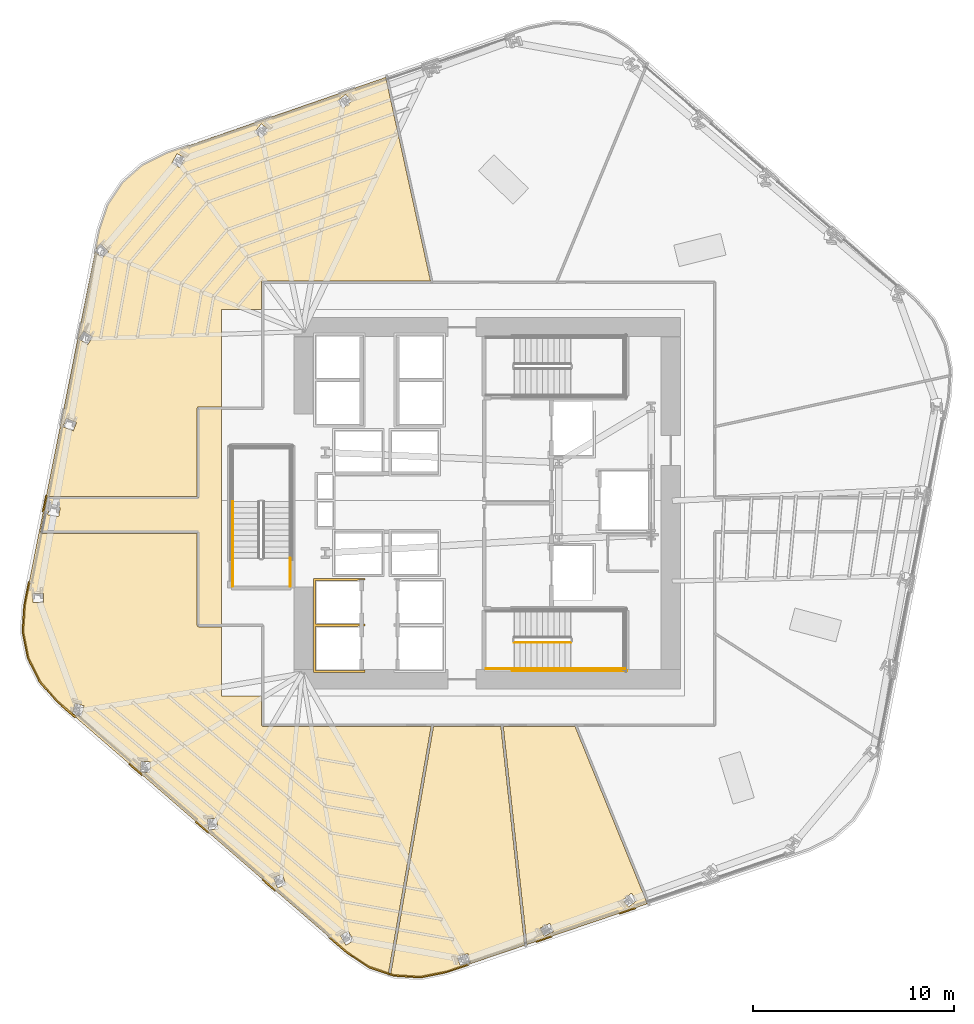
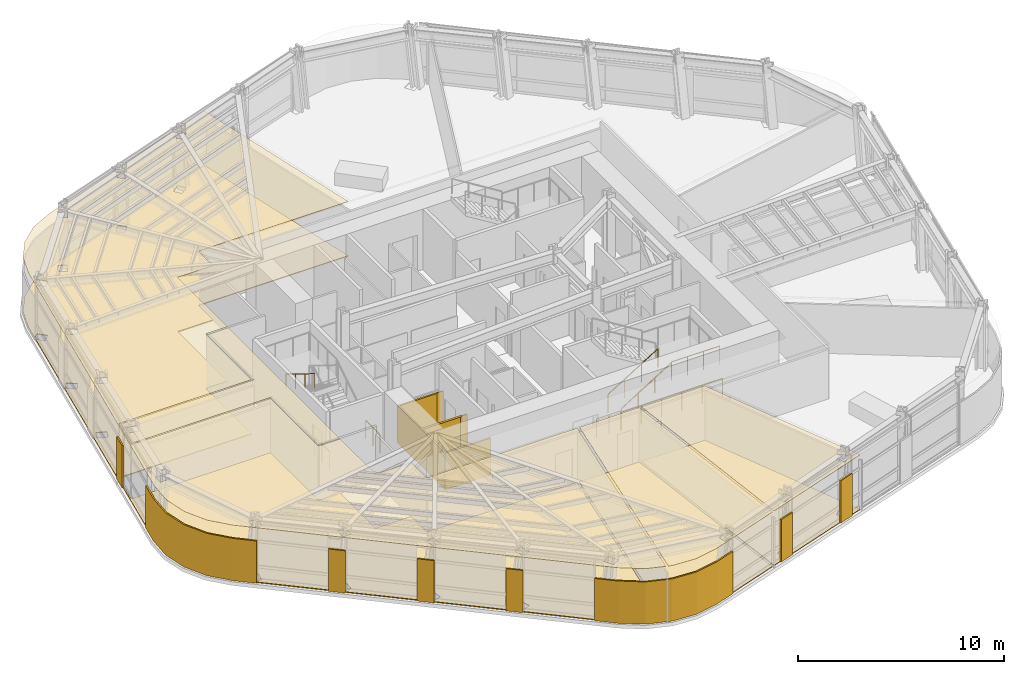
# One storey, part 11 of 16: 16 coverings, 8 railings.
"""IFC4 building model written with IfcOpenShell, lengths in metres."""

from ifc_helpers import new_model, si_unit, direction, frame, origin, origin_2d, place, context, subcontext, project, spatial, polyline, circle, outline, extrude, material, layer, layer_set, type_object, element, save


model = new_model("IFC4")

# Units and contexts
model_context = context("Model", 3, precision=1e-05, world=origin(), true_north=direction((0.0, 1.0)))
body_context = subcontext(model_context, "Body", "Model", "MODEL_VIEW")
ifc_project = project(units=[si_unit("LENGTHUNIT", "METRE"), si_unit("AREAUNIT", "SQUARE_METRE"), si_unit("VOLUMEUNIT", "CUBIC_METRE"), si_unit("PLANEANGLEUNIT", "RADIAN"), si_unit("MASSUNIT", "GRAM", prefix="KILO")], contexts=[model_context])

# Site, building, storey
site_placement = place(None, origin())
site = spatial("IfcSite", under=ifc_project, at=site_placement, CompositionType="ELEMENT")
building_placement = place(site_placement, origin())
building = spatial("IfcBuilding", under=site, at=building_placement, Name="Valkerne Bourse Tower", CompositionType="ELEMENT")
storey_placement = place(building_placement, frame((0.0, 0.0, 104.800048828125)))
storey = spatial("IfcBuildingStorey", under=building, at=storey_placement, Name="L26", CompositionType="ELEMENT", Elevation=104.800048828125)

# Coverings
ifc_material_1 = material(Name="Mineral Fiber Acoustic Ceiling Tile", Category="acoustic")
ifc_layer_1 = layer(ifc_material_1, 0.02490234375)
ifc_layer_set_1 = layer_set([ifc_layer_1], Name="Mineral Fiber Acoustic Ceiling Tile")
covering_type_1 = type_object("IfcCoveringType", Name="COV-CEIL-ACT", PredefinedType="CEILING", material=ifc_layer_set_1)
covering_1_placement = place(storey_placement, frame((0.0, 0.0, 3.22998046875)))
element("IfcCovering", 1, at=covering_1_placement, inside=storey, type_object=covering_type_1, Name="L26 Suspended Ceiling 03", PredefinedType="CEILING", context=body_context, shape_type="SweptSolid", body=[
    extrude(outline(polyline([(51.16357421875, 15.781005859375), (54.763916015625, 6.958984375), (48.7763671875, 4.930419921875), (47.59765625, 15.781005859375), (51.16357421875, 15.781005859375)]), holes=[polyline([(50.112548828125, 5.5869140625), (49.912109375, 5.989501953125), (49.9091796875, 5.989013671875), (49.428955078125, 5.748779296875), (49.629150390625, 5.34619140625), (49.632080078125, 5.346435546875), (50.112548828125, 5.5869140625)]), polyline([(54.2490234375, 7.13330078125), (53.970947265625, 7.48681640625), (53.968017578125, 7.48583984375), (53.546630859375, 7.15283203125), (53.82470703125, 6.79931640625), (53.82763671875, 6.80029296875), (54.2490234375, 7.13330078125)])]), origin(), (0.0, 0.0, 1.0), 0.02490234375),
])
covering_2_placement = place(storey_placement, frame((0.0, 0.0, 3.22998046875)))
element("IfcCovering", 2, at=covering_2_placement, inside=storey, type_object=covering_type_1, Name="L26 Suspended Ceiling 04", PredefinedType="CEILING", context=body_context, shape_type="SweptSolid", body=[
    extrude(outline(polyline([(42.169921875, 3.399658203125), (42.003173828125, 3.455810546875), (44.132080078125, 15.781005859375), (47.47900390625, 15.781005859375), (48.661865234375, 4.8916015625), (44.789794921875, 3.57958984375), (43.48681640625, 3.316650390625), (42.169921875, 3.399658203125)]), holes=[polyline([(45.9638671875, 4.048583984375), (45.843017578125, 4.48193359375), (45.839599609375, 4.482177734375), (45.322998046875, 4.33642578125), (45.44384765625, 3.9033203125), (45.447265625, 3.903076171875), (45.9638671875, 4.048583984375)])]), origin(), (0.0, 0.0, 1.0), 0.02490234375),
])
covering_3_placement = place(storey_placement, frame((0.0, 0.0, 3.22998046875)))
element("IfcCovering", 3, at=covering_3_placement, inside=storey, type_object=covering_type_1, Name="L26 Suspended Ceiling 09", PredefinedType="CEILING", context=body_context, shape_type="SweptSolid", body=[
    extrude(outline(polyline([(25.445556640625, 17.00830078125), (24.56689453125, 18.005126953125), (23.97998046875, 19.18701171875), (23.71923828125, 20.480712890625), (23.802734375, 21.806640625), (27.31201171875, 39.396728515625), (27.661865234375, 39.0556640625), (27.97509765625, 39.376220703125), (27.976806640625, 39.37890625), (27.591064453125, 39.7548828125), (27.330078125, 39.48828125), (27.522216796875, 40.451171875), (27.9462890625, 41.7109375), (28.676513671875, 42.81005859375), (29.66650390625, 43.6826171875), (30.857177734375, 44.273681640625), (41.7548828125, 48.043701171875), (43.98095703125, 37.9189453125), (35.6494140625, 37.9189453125), (35.614013671875, 37.9091796875), (35.59033203125, 37.885009765625), (35.5810546875, 37.8505859375), (35.5810546875, 36.5), (33.60009765625, 36.5), (33.60009765625, 31.6689453125), (32.449462890625, 31.6689453125), (32.419921875, 31.662109375), (32.39404296875, 31.640625), (32.381103515625, 31.6005859375), (32.381103515625, 27.218994140625), (24.990966796875, 27.21728515625), (24.95654296875, 27.197021484375), (24.939697265625, 27.1640625), (24.59912109375, 25.452392578125), (24.6171875, 25.403564453125), (24.63916015625, 25.38720703125), (24.667724609375, 25.381103515625), (32.381103515625, 25.381103515625), (32.381103515625, 20.79931640625), (32.39404296875, 20.75927734375), (32.419921875, 20.73779296875), (32.449462890625, 20.73095703125), (33.60009765625, 20.73095703125), (33.60009765625, 17.300048828125), (35.5810546875, 17.300048828125), (35.5810546875, 15.849365234375), (35.591064453125, 15.81396484375), (35.619873046875, 15.787841796875), (35.6494140625, 15.781005859375), (44.01220703125, 15.781005859375), (41.889892578125, 3.493896484375), (40.919189453125, 3.820556640625), (39.81201171875, 4.55615234375), (25.445556640625, 17.00830078125)]), holes=[polyline([(36.614501953125, 8.417236328125), (36.61181640625, 8.418701171875), (36.189697265625, 8.264404296875), (36.37255859375, 7.7587890625), (36.37548828125, 7.757080078125), (36.797119140625, 7.91162109375), (36.614501953125, 8.417236328125)]), polyline([(33.337646484375, 11.222412109375), (33.33544921875, 11.224365234375), (32.890869140625, 11.1591796875), (32.967041015625, 10.626708984375), (32.96923828125, 10.624755859375), (33.413818359375, 10.690185546875), (33.337646484375, 11.222412109375)]), polyline([(30.05322265625, 14.014892578125), (30.05126953125, 14.017578125), (29.602783203125, 14.0439453125), (29.569091796875, 13.50732421875), (29.571044921875, 13.5048828125), (30.01953125, 13.478515625), (30.05322265625, 14.014892578125)]), polyline([(26.75537109375, 16.801513671875), (26.75390625, 16.804443359375), (26.318603515625, 16.914794921875), (26.184326171875, 16.39404296875), (26.185791015625, 16.39111328125), (26.621337890625, 16.281005859375), (26.75537109375, 16.801513671875)]), polyline([(24.7490234375, 22.38427734375), (24.748291015625, 22.387451171875), (24.209716796875, 22.37939453125), (24.2158203125, 21.931396484375), (24.216552734375, 21.927978515625), (24.755126953125, 21.936279296875), (24.7490234375, 22.38427734375)]), polyline([(26.3876953125, 30.888427734375), (26.38818359375, 30.8916015625), (25.8876953125, 31.0908203125), (25.72119140625, 30.674560546875), (25.720703125, 30.67138671875), (26.22119140625, 30.47216796875), (26.3876953125, 30.888427734375)]), polyline([(27.189697265625, 35.13330078125), (26.739990234375, 35.43017578125), (26.492431640625, 35.056396484375), (26.4912109375, 35.0537109375), (26.94091796875, 34.756591796875), (27.1884765625, 35.13037109375), (27.189697265625, 35.13330078125)]), polyline([(31.775634765625, 44.031982421875), (31.38330078125, 44.251953125), (31.380859375, 44.249755859375), (31.11962890625, 43.78076171875), (31.51220703125, 43.560791015625), (31.5146484375, 43.563232421875), (31.775634765625, 44.031982421875)]), polyline([(35.576171875, 45.03173828125), (35.920654296875, 45.443603515625), (35.576416015625, 45.733154296875), (35.57373046875, 45.7314453125), (35.22900390625, 45.319580078125), (35.573486328125, 45.0302734375), (35.576171875, 45.03173828125)]), polyline([(39.8916015625, 5.597412109375), (39.888427734375, 5.598388671875), (39.50341796875, 5.367431640625), (39.77783203125, 4.9052734375), (39.781005859375, 4.904296875), (40.166015625, 5.13525390625), (39.8916015625, 5.597412109375)]), polyline([(39.632080078125, 46.51416015625), (40.05322265625, 46.84716796875), (39.775146484375, 47.20068359375), (39.772216796875, 47.19970703125), (39.35107421875, 46.86669921875), (39.629150390625, 46.51318359375), (39.632080078125, 46.51416015625)])]), origin(), (0.0, 0.0, 1.0), 0.02490234375),
])
ifc_material_2 = material(Name="Bronze Anodised Aluminium AA 6063-T6", Category="aluminium")
ifc_layer_2 = layer(ifc_material_2, 0.030029296875)
ifc_layer_set_2 = layer_set([ifc_layer_2], Name="Bronze Anodised Aluminium AA 6063-T6")
covering_type_2 = type_object("IfcCoveringType", Name="COV-CEIL-METAL", PredefinedType="CEILING", material=ifc_layer_set_2)
covering_4_placement = place(storey_placement, frame((0.0, 0.0, 3.22998046875)))
element("IfcCovering", 4, at=covering_4_placement, inside=storey, type_object=covering_type_2, Name="L26 Suspended Ceiling 02", PredefinedType="CEILING", context=body_context, shape_type="SweptSolid", body=[
    extrude(outline(polyline([(32.4541015625, 20.803955078125), (32.4541015625, 25.4541015625), (24.673095703125, 25.4541015625), (25.0107421875, 27.14599609375), (32.4541015625, 27.14599609375), (32.4541015625, 31.595947265625), (33.60009765625, 31.595947265625), (33.60009765625, 20.803955078125), (32.4541015625, 20.803955078125)]), holes=[polyline([(25.572998046875, 26.645263671875), (25.042236328125, 26.738525390625), (24.964111328125, 26.297119140625), (24.964111328125, 26.294189453125), (25.49462890625, 26.20068359375), (25.572998046875, 26.64208984375), (25.572998046875, 26.645263671875)])]), origin(), (0.0, 0.0, 1.0), 0.02490234375),
])
ifc_layer_3 = layer(ifc_material_2, 0.06005859375)
ifc_layer_set_3 = layer_set([ifc_layer_3], Name="Bronze Anodised Aluminium AA 6063-T6")
covering_type_3 = type_object("IfcCoveringType", Name="COV-CRN-ALUM", PredefinedType="CLADDING", material=ifc_layer_set_3)
covering_5_placement = place(storey_placement, origin())
element("IfcCovering", 5, at=covering_5_placement, inside=storey, type_object=covering_type_3, Name="L26 Wind-Shaped Corner Aluminium Cladding 03", PredefinedType="CLADDING", context=body_context, shape_type="SweptSolid", body=[
    extrude(outline(polyline([(53.392578125, 6.447998046875), (53.36669921875, 6.523681640625), (54.162353515625, 6.793212890625), (54.188232421875, 6.71728515625), (53.392578125, 6.447998046875)])), origin(), (0.0, 0.0, 1.0), 2.5),
])
covering_6_placement = place(storey_placement, origin())
element("IfcCovering", 6, at=covering_6_placement, inside=storey, type_object=covering_type_3, Name="L26 Wind-Shaped Corner Aluminium Cladding 04", PredefinedType="CLADDING", context=body_context, shape_type="SweptSolid", body=[
    extrude(outline(polyline([(49.241455078125, 5.04150390625), (49.215576171875, 5.1171875), (50.010986328125, 5.38671875), (50.037109375, 5.310791015625), (49.241455078125, 5.04150390625)])), origin(), (0.0, 0.0, 1.0), 2.5),
])
covering_7_placement = place(storey_placement, origin())
element("IfcCovering", 7, at=covering_7_placement, inside=storey, type_object=covering_type_3, Name="L26 Wind-Shaped Corner Aluminium Cladding 05", PredefinedType="CLADDING", context=body_context, shape_type="SweptSolid", body=[
    extrude(outline(polyline([(44.80126953125, 3.537109375), (43.48974609375, 3.2724609375), (42.1611328125, 3.356201171875), (40.899658203125, 3.78076171875), (39.785400390625, 4.52099609375), (38.919921875, 5.27099609375), (38.97265625, 5.331298828125), (39.833740234375, 4.5849609375), (40.935302734375, 3.85302734375), (42.1767578125, 3.435302734375), (43.484375, 3.352783203125), (44.780517578125, 3.614501953125), (45.85986328125, 3.97998046875), (45.8857421875, 3.904296875), (44.80126953125, 3.537109375)])), origin(), (0.0, 0.0, 1.0), 2.5),
])
covering_8_placement = place(storey_placement, origin())
element("IfcCovering", 8, at=covering_8_placement, inside=storey, type_object=covering_type_3, Name="L26 Wind-Shaped Corner Aluminium Cladding 06", PredefinedType="CLADDING", context=body_context, shape_type="SweptSolid", body=[
    extrude(outline(polyline([(35.60791015625, 8.141845703125), (35.660400390625, 8.2021484375), (36.29541015625, 7.65185546875), (36.24267578125, 7.591552734375), (35.60791015625, 8.141845703125)])), origin(), (0.0, 0.0, 1.0), 2.5),
])
covering_9_placement = place(storey_placement, origin())
element("IfcCovering", 9, at=covering_9_placement, inside=storey, type_object=covering_type_3, Name="L26 Wind-Shaped Corner Aluminium Cladding 07", PredefinedType="CLADDING", context=body_context, shape_type="SweptSolid", body=[
    extrude(outline(polyline([(32.2958984375, 11.012451171875), (32.348388671875, 11.07275390625), (32.983154296875, 10.522705078125), (32.9306640625, 10.46240234375), (32.2958984375, 11.012451171875)])), origin(), (0.0, 0.0, 1.0), 2.5),
])
covering_10_placement = place(storey_placement, origin())
element("IfcCovering", 10, at=covering_10_placement, inside=storey, type_object=covering_type_3, Name="L26 Wind-Shaped Corner Aluminium Cladding 08", PredefinedType="CLADDING", context=body_context, shape_type="SweptSolid", body=[
    extrude(outline(polyline([(28.98388671875, 13.88330078125), (29.03662109375, 13.943603515625), (29.671142578125, 13.393310546875), (29.61865234375, 13.3330078125), (28.98388671875, 13.88330078125)])), origin(), (0.0, 0.0, 1.0), 2.5),
])
covering_11_placement = place(storey_placement, origin())
element("IfcCovering", 11, at=covering_11_placement, inside=storey, type_object=covering_type_3, Name="L26 Wind-Shaped Corner Aluminium Cladding 09", PredefinedType="CLADDING", context=body_context, shape_type="SweptSolid", body=[
    extrude(outline(polyline([(25.41455078125, 16.97705078125), (24.530029296875, 17.98046875), (23.93798828125, 19.172607421875), (23.675048828125, 20.4775390625), (23.759033203125, 21.8125), (23.989990234375, 22.969970703125), (24.068359375, 22.95458984375), (23.83837890625, 21.802001953125), (23.755615234375, 20.48291015625), (24.014404296875, 19.19873046875), (24.596923828125, 18.025390625), (25.470947265625, 17.033935546875), (26.359130859375, 16.26416015625), (26.306396484375, 16.203857421875), (25.41455078125, 16.97705078125)])), origin(), (0.0, 0.0, 1.0), 2.5),
])
covering_12_placement = place(storey_placement, origin())
element("IfcCovering", 12, at=covering_12_placement, inside=storey, type_object=covering_type_3, Name="L26 Wind-Shaped Corner Aluminium Cladding 10", PredefinedType="CLADDING", context=body_context, shape_type="SweptSolid", body=[
    extrude(outline(polyline([(24.847412109375, 27.268310546875), (24.926025390625, 27.2529296875), (24.76171875, 26.42919921875), (24.68310546875, 26.444580078125), (24.847412109375, 27.268310546875)])), origin(), (0.0, 0.0, 1.0), 2.5),
])
ifc_material_3 = material(Name="Galvanised Painted Steel", Category="steel")
ifc_layer_4 = layer(ifc_material_3, 0.044921875)
ifc_layer_set_4 = layer_set([ifc_layer_4], Name="Galvanised Painted Steel")
covering_type_4 = type_object("IfcCoveringType", Name="COV-FLR-RAF", PredefinedType="FLOORING", material=ifc_layer_set_4)
covering_13_placement = place(storey_placement, origin())
element("IfcCovering", 13, at=covering_13_placement, inside=storey, type_object=covering_type_4, Name="L26 Floor Finish 09", PredefinedType="FLOORING", context=body_context, shape_type="SweptSolid", body=[
    extrude(outline(polyline([(25.445556640625, 17.00830078125), (24.56689453125, 18.005126953125), (23.97998046875, 19.18701171875), (23.71923828125, 20.480712890625), (23.802734375, 21.806640625), (27.31201171875, 39.396728515625), (27.661865234375, 39.0556640625), (27.97509765625, 39.376220703125), (27.976806640625, 39.37890625), (27.591064453125, 39.7548828125), (27.330078125, 39.48828125), (27.522216796875, 40.451171875), (27.9462890625, 41.7109375), (28.676513671875, 42.81005859375), (29.66650390625, 43.6826171875), (30.857177734375, 44.273681640625), (41.7548828125, 48.043701171875), (43.98095703125, 37.9189453125), (35.6494140625, 37.9189453125), (35.614013671875, 37.9091796875), (35.59033203125, 37.885009765625), (35.5810546875, 37.8505859375), (35.5810546875, 36.5), (33.60009765625, 36.5), (33.60009765625, 31.6689453125), (32.449462890625, 31.6689453125), (32.419921875, 31.662109375), (32.39404296875, 31.640625), (32.381103515625, 31.6005859375), (32.381103515625, 27.218994140625), (24.990966796875, 27.21728515625), (24.95654296875, 27.197021484375), (24.939697265625, 27.1640625), (24.59912109375, 25.452392578125), (24.6171875, 25.403564453125), (24.63916015625, 25.38720703125), (24.667724609375, 25.381103515625), (32.381103515625, 25.381103515625), (32.381103515625, 20.79931640625), (32.39404296875, 20.75927734375), (32.419921875, 20.73779296875), (32.449462890625, 20.73095703125), (33.60009765625, 20.73095703125), (33.60009765625, 17.300048828125), (35.5810546875, 17.300048828125), (35.5810546875, 15.849365234375), (35.591064453125, 15.81396484375), (35.619873046875, 15.787841796875), (35.6494140625, 15.781005859375), (44.01220703125, 15.781005859375), (41.889892578125, 3.493896484375), (40.919189453125, 3.820556640625), (39.81201171875, 4.55615234375), (25.445556640625, 17.00830078125)]), holes=[polyline([(36.614501953125, 8.417236328125), (36.61181640625, 8.418701171875), (36.189697265625, 8.264404296875), (36.37255859375, 7.7587890625), (36.37548828125, 7.757080078125), (36.797119140625, 7.91162109375), (36.614501953125, 8.417236328125)]), polyline([(33.337646484375, 11.222412109375), (33.33544921875, 11.224365234375), (32.890869140625, 11.1591796875), (32.967041015625, 10.626708984375), (32.96923828125, 10.624755859375), (33.413818359375, 10.690185546875), (33.337646484375, 11.222412109375)]), polyline([(30.05322265625, 14.014892578125), (30.05126953125, 14.017578125), (29.602783203125, 14.0439453125), (29.569091796875, 13.50732421875), (29.571044921875, 13.5048828125), (30.01953125, 13.478515625), (30.05322265625, 14.014892578125)]), polyline([(26.75537109375, 16.801513671875), (26.75390625, 16.804443359375), (26.318603515625, 16.914794921875), (26.184326171875, 16.39404296875), (26.185791015625, 16.39111328125), (26.621337890625, 16.281005859375), (26.75537109375, 16.801513671875)]), polyline([(24.7490234375, 22.38427734375), (24.748291015625, 22.387451171875), (24.209716796875, 22.37939453125), (24.2158203125, 21.931396484375), (24.216552734375, 21.927978515625), (24.755126953125, 21.936279296875), (24.7490234375, 22.38427734375)]), polyline([(26.3876953125, 30.888427734375), (26.38818359375, 30.8916015625), (25.8876953125, 31.0908203125), (25.72119140625, 30.674560546875), (25.720703125, 30.67138671875), (26.22119140625, 30.47216796875), (26.3876953125, 30.888427734375)]), polyline([(27.189697265625, 35.13330078125), (26.739990234375, 35.43017578125), (26.492431640625, 35.056396484375), (26.4912109375, 35.0537109375), (26.94091796875, 34.756591796875), (27.1884765625, 35.13037109375), (27.189697265625, 35.13330078125)]), polyline([(31.775634765625, 44.031982421875), (31.38330078125, 44.251953125), (31.380859375, 44.249755859375), (31.11962890625, 43.78076171875), (31.51220703125, 43.560791015625), (31.5146484375, 43.563232421875), (31.775634765625, 44.031982421875)]), polyline([(35.576171875, 45.03173828125), (35.920654296875, 45.443603515625), (35.576416015625, 45.733154296875), (35.57373046875, 45.7314453125), (35.22900390625, 45.319580078125), (35.573486328125, 45.0302734375), (35.576171875, 45.03173828125)]), polyline([(39.8916015625, 5.597412109375), (39.888427734375, 5.598388671875), (39.50341796875, 5.367431640625), (39.77783203125, 4.9052734375), (39.781005859375, 4.904296875), (40.166015625, 5.13525390625), (39.8916015625, 5.597412109375)]), polyline([(39.632080078125, 46.51416015625), (40.05322265625, 46.84716796875), (39.775146484375, 47.20068359375), (39.772216796875, 47.19970703125), (39.35107421875, 46.86669921875), (39.629150390625, 46.51318359375), (39.632080078125, 46.51416015625)])]), origin(), (0.0, 0.0, 1.0), 0.044921875),
])
ifc_material_4 = material(Name="Polished Granite Stone", Category="masonry")
ifc_layer_5 = layer(ifc_material_4, 0.030029296875)
ifc_layer_set_5 = layer_set([ifc_layer_5], Name="Polished Granite Stone")
covering_type_5 = type_object("IfcCoveringType", Name="COV-FLR-TERRAZZO", PredefinedType="FLOORING", material=ifc_layer_set_5)
covering_14_placement = place(storey_placement, origin())
element("IfcCovering", 14, at=covering_14_placement, inside=storey, type_object=covering_type_5, Name="L26 Floor Finish 03", PredefinedType="FLOORING", context=body_context, shape_type="SweptSolid", body=[
    extrude(outline(polyline([(51.16357421875, 15.781005859375), (54.763916015625, 6.958984375), (48.7763671875, 4.930419921875), (47.59765625, 15.781005859375), (51.16357421875, 15.781005859375)]), holes=[polyline([(50.112548828125, 5.5869140625), (49.912109375, 5.989501953125), (49.9091796875, 5.989013671875), (49.428955078125, 5.748779296875), (49.629150390625, 5.34619140625), (49.632080078125, 5.346435546875), (50.112548828125, 5.5869140625)]), polyline([(54.2490234375, 7.13330078125), (53.970947265625, 7.48681640625), (53.968017578125, 7.48583984375), (53.546630859375, 7.15283203125), (53.82470703125, 6.79931640625), (53.82763671875, 6.80029296875), (54.2490234375, 7.13330078125)])]), origin(), (0.0, 0.0, 1.0), 0.030029296875),
])
covering_15_placement = place(storey_placement, origin())
element("IfcCovering", 15, at=covering_15_placement, inside=storey, type_object=covering_type_5, Name="L26 Floor Finish 04", PredefinedType="FLOORING", context=body_context, shape_type="SweptSolid", body=[
    extrude(outline(polyline([(42.169921875, 3.399658203125), (42.003173828125, 3.455810546875), (44.132080078125, 15.781005859375), (47.47900390625, 15.781005859375), (48.661865234375, 4.8916015625), (44.789794921875, 3.57958984375), (43.48681640625, 3.316650390625), (42.169921875, 3.399658203125)]), holes=[polyline([(45.9638671875, 4.048583984375), (45.843017578125, 4.48193359375), (45.839599609375, 4.482177734375), (45.322998046875, 4.33642578125), (45.44384765625, 3.9033203125), (45.447265625, 3.903076171875), (45.9638671875, 4.048583984375)])]), origin(), (0.0, 0.0, 1.0), 0.030029296875),
])
ifc_material_5 = material(Name="Gypsum Shaftwall Liner Board", Category="gypsum")
ifc_layer_6 = layer(ifc_material_5, 0.080078125)
ifc_layer_set_6 = layer_set([ifc_layer_6], Name="Gypsum Shaftwall Liner Board")
covering_type_6 = type_object("IfcCoveringType", Name="COV-SHF-CLAD", PredefinedType="CLADDING", material=ifc_layer_set_6)
covering_16_placement = place(storey_placement, origin())
element("IfcCovering", 16, at=covering_16_placement, inside=storey, type_object=covering_type_6, Name="L26 Hoistway & Riser Shaftwall Liner 01", PredefinedType="CLADDING", context=body_context, shape_type="SweptSolid", body=[
    extrude(outline(polyline([(38.169921875, 23.1298828125), (40.72998046875, 23.1298828125), (40.72998046875, 23.052001953125), (40.72216796875, 23.0556640625), (40.6806640625, 23.070556640625), (40.6376953125, 23.081298828125), (40.593994140625, 23.087890625), (40.550048828125, 23.090087890625), (40.505859375, 23.087890625), (40.462158203125, 23.081298828125), (40.41943359375, 23.070556640625), (40.377685546875, 23.0556640625), (40.344482421875, 23.0400390625), (38.260009765625, 23.0400390625), (38.260009765625, 20.860107421875), (40.456787109375, 20.860107421875), (40.462158203125, 20.858642578125), (40.505859375, 20.852294921875), (40.550048828125, 20.85009765625), (40.593994140625, 20.852294921875), (40.6376953125, 20.858642578125), (40.6806640625, 20.869384765625), (40.72216796875, 20.88427734375), (40.72998046875, 20.887939453125), (40.72998046875, 20.830078125), (40.72998046875, 20.77001953125), (40.72998046875, 20.752197265625), (40.72216796875, 20.755615234375), (40.6806640625, 20.7705078125), (40.6376953125, 20.781494140625), (40.593994140625, 20.787841796875), (40.550048828125, 20.7900390625), (40.505859375, 20.787841796875), (40.462158203125, 20.781494140625), (40.41943359375, 20.7705078125), (40.377685546875, 20.755615234375), (40.344482421875, 20.739990234375), (38.260009765625, 20.739990234375), (38.260009765625, 18.56005859375), (40.456787109375, 18.56005859375), (40.462158203125, 18.55859375), (40.505859375, 18.55224609375), (40.550048828125, 18.550048828125), (40.593994140625, 18.55224609375), (40.6376953125, 18.55859375), (40.6806640625, 18.5693359375), (40.72216796875, 18.584228515625), (40.72998046875, 18.587890625), (40.72998046875, 18.469970703125), (38.169921875, 18.469970703125), (38.169921875, 20.77001953125), (38.169921875, 20.830078125), (38.169921875, 23.1298828125)])), origin(), (0.0, 0.0, 1.0), 2.179931640625),
])

# Railings
railing_type_1 = type_object("IfcRailingType", Name="RLG-ST-GUARD-1120", PredefinedType="GUARDRAIL", material=ifc_material_3)
railing_1_placement = place(storey_placement, frame((48.14990234375, 19.949951171875, 0.172607421875)))
element("IfcRailing", 17, at=railing_1_placement, inside=storey, type_object=railing_type_1, Name="L26 ST-1 stair guard 1", PredefinedType="GUARDRAIL", context=body_context, shape_type="SweptSolid", body=[
    extrude(circle(Radius=0.02392578125, at=origin_2d()), frame((0.0, 0.0, 1.09619140625), z_axis=(0.851089632645, 0.0, 0.525020415988), x_axis=(0.0, 1.0, 0.0)), (0.0, 0.0, 1.0), 3.2900390625),
    extrude(circle(Radius=0.02099609375, at=origin_2d()), origin(), (0.0, 0.0, 1.0), 1.072021484375),
    extrude(circle(Radius=0.02099609375, at=origin_2d()), frame((0.933349609375, 0.0, 0.57568359375)), (0.0, 0.0, 1.0), 1.072021484375),
    extrude(circle(Radius=0.02099609375, at=origin_2d()), frame((1.86669921875, 0.0, 1.151611328125)), (0.0, 0.0, 1.0), 1.072021484375),
    extrude(circle(Radius=0.02099609375, at=origin_2d()), frame((2.800048828125, 0.0, 1.727294921875)), (0.0, 0.0, 1.0), 1.072021484375),
])
railing_2_placement = place(storey_placement, frame((50.949951171875, 18.64990234375, 1.89990234375)))
element("IfcRailing", 18, at=railing_2_placement, inside=storey, type_object=railing_type_1, Name="L26 ST-1 stair guard 3", PredefinedType="GUARDRAIL", context=body_context, shape_type="SweptSolid", body=[
    extrude(circle(Radius=0.02392578125, at=origin_2d()), frame((0.0, 0.0, 1.09619140625), z_axis=(1.0, 0.0, 0.0), x_axis=(0.0, 1.0, 0.0)), (0.0, 0.0, 1.0), 2.699951171875),
    extrude(circle(Radius=0.02099609375, at=origin_2d()), origin(), (0.0, 0.0, 1.0), 1.072021484375),
    extrude(circle(Radius=0.02099609375, at=origin_2d()), frame((0.89990234375, 0.0, 0.0)), (0.0, 0.0, 1.0), 1.072021484375),
    extrude(circle(Radius=0.02099609375, at=origin_2d()), frame((1.800048828125, 0.0, 0.0)), (0.0, 0.0, 1.0), 1.072021484375),
    extrude(circle(Radius=0.02099609375, at=origin_2d()), frame((2.699951171875, 0.0, 0.0)), (0.0, 0.0, 1.0), 1.072021484375),
])
railing_3_placement = place(storey_placement, frame((46.75, 18.64990234375, 0.0)))
element("IfcRailing", 19, at=railing_3_placement, inside=storey, type_object=railing_type_1, Name="L26 ST-1 stair guard 8", PredefinedType="GUARDRAIL", context=body_context, shape_type="SweptSolid", body=[
    extrude(circle(Radius=0.02392578125, at=origin_2d()), frame((0.0, 0.0, 1.09619140625), z_axis=(1.0, 0.0, 0.0), x_axis=(0.0, 1.0, 0.0)), (0.0, 0.0, 1.0), 1.39990234375),
    extrude(circle(Radius=0.02099609375, at=origin_2d()), origin(), (0.0, 0.0, 1.0), 1.072021484375),
    extrude(circle(Radius=0.02099609375, at=origin_2d()), frame((0.699951171875, 0.0, 0.0)), (0.0, 0.0, 1.0), 1.072021484375),
    extrude(circle(Radius=0.02099609375, at=origin_2d()), frame((1.39990234375, 0.0, 0.0)), (0.0, 0.0, 1.0), 1.072021484375),
])
railing_4_placement = place(storey_placement, frame((48.050048828125, 18.550048828125, 0.0)))
element("IfcRailing", 20, at=railing_4_placement, inside=storey, type_object=railing_type_1, Name="L26 ST-1 stair guard 10", PredefinedType="GUARDRAIL", context=body_context, shape_type="SweptSolid", body=[
    extrude(circle(Radius=0.02392578125, at=origin_2d()), frame((0.0, 0.0, 1.09619140625), z_axis=(1.0, 0.0, 0.0), x_axis=(0.0, 1.0, 0.0)), (0.0, 0.0, 1.0), 5.699951171875),
    extrude(circle(Radius=0.02099609375, at=origin_2d()), origin(), (0.0, 0.0, 1.0), 1.072021484375),
    extrude(circle(Radius=0.02099609375, at=origin_2d()), frame((1.139892578125, 0.0, 0.0)), (0.0, 0.0, 1.0), 1.072021484375),
    extrude(circle(Radius=0.02099609375, at=origin_2d()), frame((2.280029296875, 0.0, 0.0)), (0.0, 0.0, 1.0), 1.072021484375),
    extrude(circle(Radius=0.02099609375, at=origin_2d()), frame((3.419921875, 0.0, 0.0)), (0.0, 0.0, 1.0), 1.072021484375),
    extrude(circle(Radius=0.02099609375, at=origin_2d()), frame((4.56005859375, 0.0, 0.0)), (0.0, 0.0, 1.0), 1.072021484375),
    extrude(circle(Radius=0.02099609375, at=origin_2d()), frame((5.699951171875, 0.0, 0.0)), (0.0, 0.0, 1.0), 1.072021484375),
])
for number, where, name in (
    (21, (37.0, 22.75, 0.0), "L26 ST-3 stair guard 8"),
    (22, (34.14990234375, 22.75, 0.0), "L26 ST-3 stair guard 9"),
):
    element("IfcRailing", number, at=place(storey_placement, frame(where)), inside=storey, type_object=railing_type_1, Name=name, PredefinedType="GUARDRAIL", context=body_context, shape_type="SweptSolid", body=[
        extrude(circle(Radius=0.02392578125, at=origin_2d()), frame((0.0, 0.0, 1.09619140625), z_axis=(0.0, 1.0, 0.0), x_axis=(-1.0, 0.0, 0.0)), (0.0, 0.0, 1.0), 1.39990234375),
        extrude(circle(Radius=0.02099609375, at=origin_2d()), origin(), (0.0, 0.0, 1.0), 1.072021484375),
        extrude(circle(Radius=0.02099609375, at=origin_2d()), frame((0.0, 0.699951171875, 0.0)), (0.0, 0.0, 1.0), 1.072021484375),
        extrude(circle(Radius=0.02099609375, at=origin_2d()), frame((0.0, 1.39990234375, 0.0)), (0.0, 0.0, 1.0), 1.072021484375),
    ])
ifc_material_6 = material(Name="Stainless Steel AISI 316", Category="steel")
railing_type_2 = type_object("IfcRailingType", Name="RLG-ST-HANDRAIL-900", PredefinedType="HANDRAIL", material=ifc_material_6)
railing_5_placement = place(storey_placement, frame((48.14990234375, 18.64990234375, 0.345458984375)))
element("IfcRailing", 23, at=railing_5_placement, inside=storey, type_object=railing_type_2, Name="L26 ST-1 stair handrail 1", PredefinedType="HANDRAIL", context=body_context, shape_type="SweptSolid", body=[
    extrude(circle(Radius=0.02392578125, at=origin_2d()), frame((0.0, 0.0, 0.8759765625), z_axis=(0.851089632645, 0.0, 0.525020415988), x_axis=(0.0, 1.0, 0.0)), (0.0, 0.0, 1.0), 3.2900390625),
    extrude(circle(Radius=0.02099609375, at=origin_2d()), origin(), (0.0, 0.0, 1.0), 0.851806640625),
    extrude(circle(Radius=0.02099609375, at=origin_2d()), frame((0.933349609375, 0.0, 0.57568359375)), (0.0, 0.0, 1.0), 0.851806640625),
    extrude(circle(Radius=0.02099609375, at=origin_2d()), frame((1.86669921875, 0.0, 1.151611328125)), (0.0, 0.0, 1.0), 0.851806640625),
    extrude(circle(Radius=0.02099609375, at=origin_2d()), frame((2.800048828125, 0.0, 1.727294921875)), (0.0, 0.0, 1.0), 0.851806640625),
])
railing_6_placement = place(storey_placement, frame((34.14990234375, 26.949951171875, 2.245361328125)))
element("IfcRailing", 24, at=railing_6_placement, inside=storey, type_object=railing_type_2, Name="L26 ST-3 stair handrail 2", PredefinedType="HANDRAIL", context=body_context, shape_type="SweptSolid", body=[
    extrude(circle(Radius=0.02392578125, at=origin_2d()), frame((0.0, 0.0, 0.8759765625), z_axis=(0.0, -0.851089632645, 0.525020415988), x_axis=(1.0, 0.0, 0.0)), (0.0, 0.0, 1.0), 3.2900390625),
    extrude(circle(Radius=0.02099609375, at=origin_2d()), origin(), (0.0, 0.0, 1.0), 0.851806640625),
    extrude(circle(Radius=0.02099609375, at=origin_2d()), frame((0.0, -0.933349609375, 0.57568359375)), (0.0, 0.0, 1.0), 0.851806640625),
    extrude(circle(Radius=0.02099609375, at=origin_2d()), frame((0.0, -1.86669921875, 1.151611328125)), (0.0, 0.0, 1.0), 0.851806640625),
    extrude(circle(Radius=0.02099609375, at=origin_2d()), frame((0.0, -2.800048828125, 1.727294921875)), (0.0, 0.0, 1.0), 0.851806640625),
])

save(model, "model.ifc")
